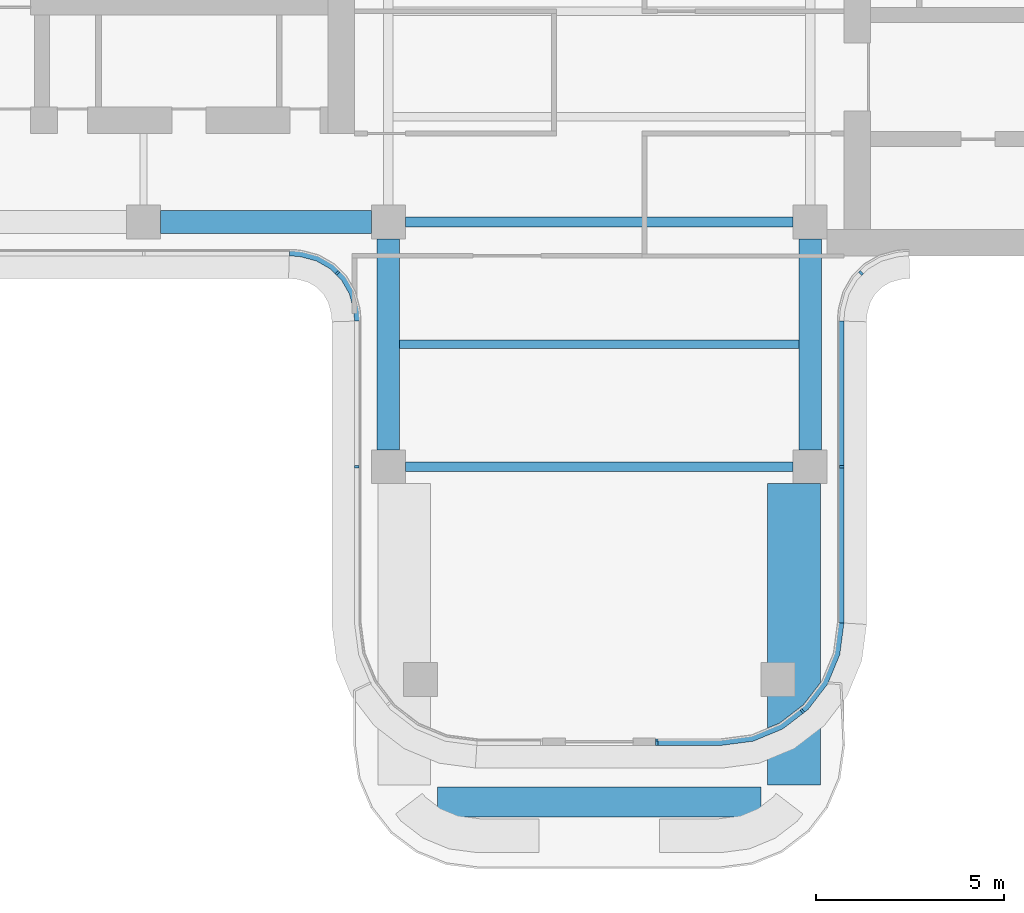
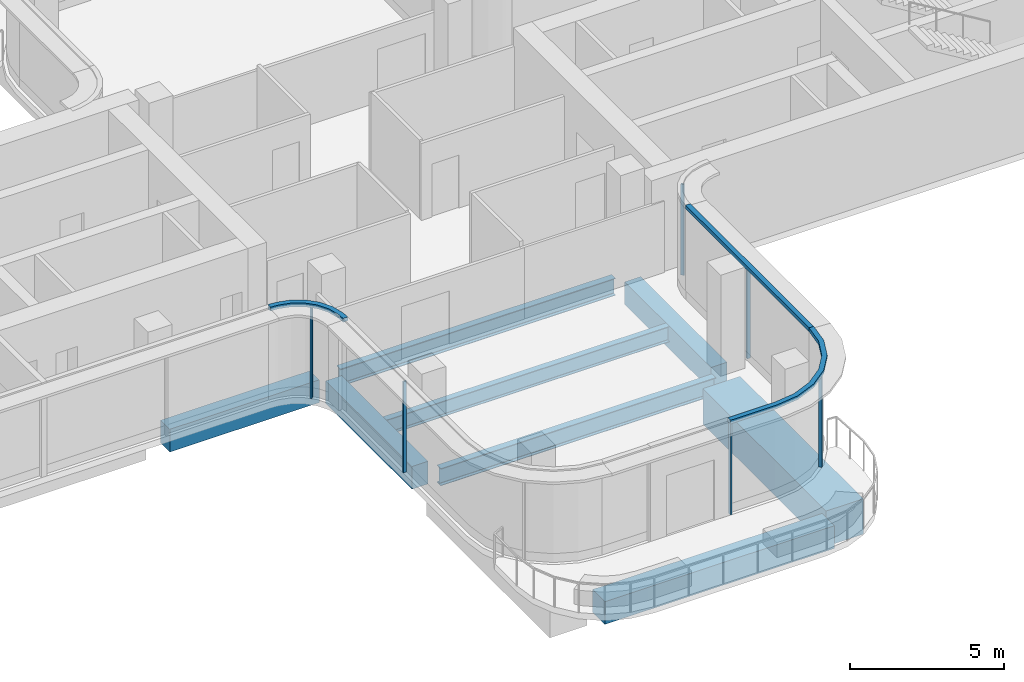
# One storey, part 3 of 18: 9 members, 8 beams, 5 elements without a shape of their own.
"""IFC4 building model written with IfcOpenShell, lengths in metres."""

from ifc_helpers import new_model, si_unit, direction, frame, origin, origin_2d, place, context, subcontext, project, spatial, polyline, rectangle, i_section, outline, extrude, source, transform, mapped, material, layer, layer_set, material_profile, profile_set, type_object, element, aggregate, save


model = new_model("IFC4")

# Units and contexts
model_context = context("Model", 3, precision=1e-05, world=origin(), true_north=direction((0.0, 1.0)))
body_context = subcontext(model_context, "Body", "Model", "MODEL_VIEW")
ifc_project = project(units=[si_unit("LENGTHUNIT", "METRE"), si_unit("AREAUNIT", "SQUARE_METRE"), si_unit("VOLUMEUNIT", "CUBIC_METRE"), si_unit("PLANEANGLEUNIT", "RADIAN"), si_unit("MASSUNIT", "GRAM", prefix="KILO")], contexts=[model_context])

# Site, building, storey
site_placement = place(None, origin())
site = spatial("IfcSite", under=ifc_project, at=site_placement, CompositionType="ELEMENT")
building_placement = place(site_placement, origin())
building = spatial("IfcBuilding", under=site, at=building_placement, Name="Trellis Farm Tower", CompositionType="ELEMENT")
storey_placement = place(building_placement, frame((0.0, 0.0, 338.10009765625)))
storey = spatial("IfcBuildingStorey", under=building, at=storey_placement, Name="L76", CompositionType="ELEMENT", Elevation=338.10009765625)

# Curtain wall, member
ifc_material_1 = material(Name="Aluminium and glass curtain wall", Category="aluminium")
ifc_layer_1 = layer(ifc_material_1, 0.176025390625)
ifc_layer_set_1 = layer_set([ifc_layer_1], Name="CROWN LANTERN CURTAIN WALL CW5")
curtain_wall_type = type_object("IfcCurtainWallType", Name="CROWN LANTERN CURTAIN WALL CW5", PredefinedType="NOTDEFINED", material=ifc_layer_set_1)
placement_1 = place(storey_placement, origin())
curtain_wall_1 = element("IfcCurtainWall", 1, at=placement_1, inside=storey, type_object=curtain_wall_type, Name="CW5 003", PredefinedType="NOTDEFINED")
ifc_material_2 = material(Name="Aluminium extrusion 6063-T6", Category="aluminium")
ifc_layer_2 = layer(ifc_material_2, 0.176025390625)
ifc_layer_set_2 = layer_set([ifc_layer_2], Name="Aluminium extrusion 6063-T6")
member_type_1 = type_object("IfcMemberType", Name="CW5 TRANSOM 176x150", PredefinedType="USERDEFINED", material=ifc_layer_set_2)
placement_2 = place(storey_placement, frame((0.0, 0.0, 3.599853515625)))
member_1 = element("IfcMember", 2, at=placement_2, type_object=member_type_1, Name="TR5 003", ObjectType="TRANSOM", PredefinedType="USERDEFINED", context=body_context, shape_type="SweptSolid", body=[
    extrude(outline(polyline([(1.5, -19.5), (3.25, -19.5), (4.091064453125, -19.38916015625), (4.875, -19.064697265625), (5.548095703125, -18.548095703125), (6.064697265625, -17.875), (6.38916015625, -17.091064453125), (6.5, -16.25), (6.323974609375, -16.238525390625), (6.2177734375, -17.045166015625), (5.910888671875, -17.7861328125), (5.422607421875, -18.422607421875), (4.7861328125, -18.910888671875), (4.045166015625, -19.2177734375), (3.238525390625, -19.323974609375), (1.5, -19.323974609375), (1.5, -19.5)])), origin(), (0.0, 0.0, 1.0), 0.150146484375),
])

# Beams
ifc_material_3 = material(Name="Steel S355", Category="steel")
ifc_material_profile_1 = material_profile(ifc_material_3, i_section(OverallWidth=0.22900390625, OverallDepth=0.6123046875, WebThickness=0.011962890625, FlangeThickness=0.01953125, FilletRadius=0.0126953125, at=origin_2d()), Name="UB 610x229x125")
ifc_profile_set_1 = profile_set([ifc_material_profile_1], Name="Steel S355")
beam_type_1 = type_object("IfcBeamType", Name="UB 610x229x125 joist", PredefinedType="JOIST", material=ifc_profile_set_1)
shared_shape_1 = source(origin(), body_context, "Body", "SweptSolid", [
    extrude(i_section(OverallWidth=0.22900390625, OverallDepth=0.6123046875, WebThickness=0.011962890625, FlangeThickness=0.01953125, FilletRadius=0.0126953125, at=origin_2d()), origin(), (0.0, 0.0, 1.0), 10.60009765625),
])
beam_1_placement = place(storey_placement, frame((-5.300048828125, -8.85009765625, -0.55615234375), z_axis=(1.0, 0.0, 0.0), x_axis=(0.0, 1.0, 0.0)))
element("IfcBeam", 3, at=beam_1_placement, inside=storey, type_object=beam_type_1, Name="Floor beam", PredefinedType="JOIST", context=body_context, shape_type="MappedRepresentation", body=[
    mapped(shared_shape_1, transform((0.0, 0.0, 0.0))),
])
ifc_material_4 = material(Name="Concrete C60/75", Category="concrete")
ifc_material_profile_2 = material_profile(ifc_material_4, rectangle(XDim=0.60009765625, YDim=0.89990234375, at=origin_2d()), Name="RC spandrel beam 600x900 C60/75")
ifc_profile_set_2 = profile_set([ifc_material_profile_2], Name="Concrete C60/75")
beam_type_2 = type_object("IfcBeamType", Name="RC spandrel beam 600x900 C60/75", PredefinedType="SPANDREL", material=ifc_profile_set_2)
shared_shape_2 = source(origin(), body_context, "Body", "SweptSolid", [
    extrude(rectangle(XDim=0.60009765625, YDim=0.89990234375, at=origin_2d()), origin(), (0.0, 0.0, 1.0), 5.599853515625),
])
for number, where, z_axis, x_axis, name in (
    (4, (-11.64990234375, -5.60009765625, -0.7001953125), (1.0, 0.0, 0.0), (0.0, 1.0, 0.0), "Girder"),
    (5, (-5.60009765625, -11.64990234375, -0.7001953125), (0.0, 1.0, 0.0), (-1.0, 0.0, 0.0), "Girder"),
    (6, (5.60009765625, -11.64990234375, -0.7001953125), (0.0, 1.0, 0.0), (-1.0, 0.0, 0.0), "Girder"),
):
    element("IfcBeam", number, at=place(storey_placement, frame(where, z_axis=z_axis, x_axis=x_axis)), inside=storey, type_object=beam_type_2, Name=name, PredefinedType="SPANDREL", context=body_context, shape_type="MappedRepresentation", body=[
        mapped(shared_shape_2, transform((0.0, 0.0, 0.0))),
    ])
ifc_material_profile_3 = material_profile(ifc_material_3, i_section(OverallWidth=0.253662109375, OverallDepth=0.68359375, WebThickness=0.012451171875, FlangeThickness=0.021728515625, FilletRadius=0.01513671875, at=origin_2d()), Name="UB 686x254x140")
ifc_profile_set_3 = profile_set([ifc_material_profile_3], Name="Steel S355")
beam_type_3 = type_object("IfcBeamType", Name="UB 686x254x140", PredefinedType="BEAM", material=ifc_profile_set_3)
shared_shape_3 = source(origin(), body_context, "Body", "SweptSolid", [
    extrude(i_section(OverallWidth=0.253662109375, OverallDepth=0.68359375, WebThickness=0.012451171875, FlangeThickness=0.021728515625, FilletRadius=0.01513671875, at=origin_2d()), origin(), (0.0, 0.0, 1.0), 10.2998046875),
])
for number, where, z_axis, x_axis, name in (
    (7, (-5.14990234375, -12.10009765625, -0.591796875), (1.0, 0.0, 0.0), (0.0, 1.0, 0.0), "Girder"),
    (8, (-5.14990234375, -5.60009765625, -0.591796875), (1.0, 0.0, 0.0), (0.0, 1.0, 0.0), "Girder"),
):
    element("IfcBeam", number, at=place(storey_placement, frame(where, z_axis=z_axis, x_axis=x_axis)), inside=storey, type_object=beam_type_3, Name=name, PredefinedType="BEAM", context=body_context, shape_type="MappedRepresentation", body=[
        mapped(shared_shape_3, transform((0.0, 0.0, 0.0))),
    ])
ifc_material_profile_4 = material_profile(ifc_material_4, rectangle(XDim=0.800048828125, YDim=0.89990234375, at=origin_2d()), Name="RC spandrel beam 800x900 C60/75")
ifc_profile_set_4 = profile_set([ifc_material_profile_4], Name="Concrete C60/75")
beam_type_4 = type_object("IfcBeamType", Name="RC spandrel beam 800x900 C60/75", PredefinedType="SPANDREL", material=ifc_profile_set_4)
shared_shape_4 = source(origin(), body_context, "Body", "SweptSolid", [
    extrude(rectangle(XDim=0.800048828125, YDim=0.89990234375, at=origin_2d()), origin(), (0.0, 0.0, 1.0), 8.60009765625),
])
beam_2_placement = place(storey_placement, frame((-4.300048828125, -21.0, -0.7001953125), z_axis=(1.0, 0.0, 0.0), x_axis=(0.0, 1.0, 0.0)))
element("IfcBeam", 9, at=beam_2_placement, inside=storey, type_object=beam_type_4, Name="Girder", PredefinedType="SPANDREL", context=body_context, shape_type="MappedRepresentation", body=[
    mapped(shared_shape_4, transform((0.0, 0.0, 0.0))),
])
ifc_material_5 = material(Name="Concrete C80/95", Category="concrete")
ifc_material_profile_5 = material_profile(ifc_material_5, rectangle(XDim=1.39990234375, YDim=1.39990234375, at=origin_2d()), Name="RC transfer beam 1400x1400 C80/95")
ifc_profile_set_5 = profile_set([ifc_material_profile_5], Name="Concrete C80/95")
beam_type_5 = type_object("IfcBeamType", Name="RC transfer beam 1400x1400 C80/95", PredefinedType="BEAM", material=ifc_profile_set_5)
shared_shape_5 = source(origin(), body_context, "Body", "SweptSolid", [
    extrude(rectangle(XDim=1.39990234375, YDim=1.39990234375, at=origin_2d()), origin(), (0.0, 0.0, 1.0), 8.0),
])
beam_3_placement = place(storey_placement, frame((5.175048828125, -20.550048828125, -0.9501953125), z_axis=(0.0, 1.0, 0.0), x_axis=(-1.0, 0.0, 0.0)))
element("IfcBeam", 10, at=beam_3_placement, inside=storey, type_object=beam_type_5, Name="Transfer girder", PredefinedType="BEAM", context=body_context, shape_type="MappedRepresentation", body=[
    mapped(shared_shape_5, transform((0.0, 0.0, 0.0))),
])

# Curtain wall, member
curtain_wall_2 = element("IfcCurtainWall", 11, at=placement_1, inside=storey, type_object=curtain_wall_type, Name="CW5 001", PredefinedType="NOTDEFINED")
ifc_material_profile_6 = material_profile(ifc_material_2, rectangle(XDim=0.06005859375, YDim=0.1201171875, at=origin_2d()), Name="MULLION 60x120")
ifc_profile_set_6 = profile_set([ifc_material_profile_6], Name="Aluminium extrusion 6063-T6")
member_type_2 = type_object("IfcMemberType", Name="CW5 MULLION 60x120", PredefinedType="MULLION", material=ifc_profile_set_6)
shared_shape_6 = source(origin(), body_context, "Body", "SweptSolid", [
    extrude(rectangle(XDim=0.06005859375, YDim=0.1201171875, at=origin_2d()), origin(), (0.0, 0.0, 1.0), 3.599853515625),
])
member_2_placement = place(storey_placement, frame((-6.43994140625, -12.10009765625, 0.0), z_axis=(0.0, 0.0, 1.0), x_axis=(0.0, -1.0, 0.0)))
member_2 = element("IfcMember", 12, at=member_2_placement, type_object=member_type_2, Name="MU5 001-01", PredefinedType="MULLION", context=body_context, shape_type="MappedRepresentation", body=[
    mapped(shared_shape_6, transform((0.0, 0.0, 0.0))),
])
aggregate(curtain_wall_2, [member_2])

# Member
member_3_placement = place(storey_placement, frame((1.530029296875, -19.43994140625, 0.0), z_axis=(0.0, 0.0, 1.0), x_axis=(1.0, 0.0, 0.0)))
member_3 = element("IfcMember", 13, at=member_3_placement, type_object=member_type_2, Name="MU5 003-01", PredefinedType="MULLION", context=body_context, shape_type="MappedRepresentation", body=[
    mapped(shared_shape_6, transform((0.0, 0.0, 0.0))),
])

member_4_placement = place(storey_placement, frame((5.394775390625, -18.590087890625, 0.0), z_axis=(0.0, 0.0, 1.0), x_axis=(0.793353340291, 0.608761429009, 0.0)))
member_4 = element("IfcMember", 14, at=member_4_placement, type_object=member_type_2, Name="MU5 003-02", PredefinedType="MULLION", context=body_context, shape_type="MappedRepresentation", body=[
    mapped(shared_shape_6, transform((0.0, 0.0, 0.0))),
])

aggregate(curtain_wall_1, [member_3, member_4, member_1])

# Curtain wall, member
curtain_wall_3 = element("IfcCurtainWall", 15, at=placement_1, inside=storey, type_object=curtain_wall_type, Name="CW5 004", PredefinedType="NOTDEFINED")
member_5_placement = place(storey_placement, frame((6.43994140625, -12.10009765625, 0.0), z_axis=(0.0, 0.0, 1.0), x_axis=(0.0, 1.0, 0.0)))
member_5 = element("IfcMember", 16, at=member_5_placement, type_object=member_type_2, Name="MU5 004-01", PredefinedType="MULLION", context=body_context, shape_type="MappedRepresentation", body=[
    mapped(shared_shape_6, transform((0.0, 0.0, 0.0))),
])

curtain_wall_4 = element("IfcCurtainWall", 17, at=placement_1, inside=storey, type_object=curtain_wall_type, Name="CW5 005", PredefinedType="NOTDEFINED")
member_6_placement = place(storey_placement, frame((6.953125, -6.953125, 0.0), z_axis=(0.0, 0.0, 1.0), x_axis=(0.707106781187, 0.707106781187, 0.0)))
member_6 = element("IfcMember", 18, at=member_6_placement, type_object=member_type_2, Name="MU5 005-01", PredefinedType="MULLION", context=body_context, shape_type="MappedRepresentation", body=[
    mapped(shared_shape_6, transform((0.0, 0.0, 0.0))),
])
aggregate(curtain_wall_4, [member_6])

curtain_wall_5 = element("IfcCurtainWall", 19, at=placement_1, inside=storey, type_object=curtain_wall_type, Name="CW5 018", PredefinedType="NOTDEFINED")
member_7_placement = place(storey_placement, frame((-6.953125, -6.953125, 0.0), z_axis=(0.0, 0.0, 1.0), x_axis=(0.707106781187, -0.707106781187, 0.0)))
member_7 = element("IfcMember", 20, at=member_7_placement, type_object=member_type_2, Name="MU5 018-01", PredefinedType="MULLION", context=body_context, shape_type="MappedRepresentation", body=[
    mapped(shared_shape_6, transform((0.0, 0.0, 0.0))),
])

# Member
shared_shape_7 = source(origin(), body_context, "Body", "SweptSolid", [
    extrude(outline(polyline([(6.5, -16.25), (6.5, -8.2314453125), (6.323974609375, -8.2255859375), (6.323974609375, -16.238525390625), (6.5, -16.25)])), origin(), (0.0, 0.0, 1.0), 0.150146484375),
])
member_8 = element("IfcMember", 21, at=placement_2, type_object=member_type_1, Name="TR5 004", ObjectType="TRANSOM", PredefinedType="USERDEFINED", context=body_context, shape_type="MappedRepresentation", body=[
    mapped(shared_shape_7, transform((0.0, 0.0, 0.0))),
])

aggregate(curtain_wall_3, [member_5, member_8])

shared_shape_8 = source(origin(), body_context, "Body", "SweptSolid", [
    extrude(outline(polyline([(-8.2314453125, -6.5), (-8.01953125, -6.513916015625), (-7.91552734375, -6.527587890625), (-7.508544921875, -6.63671875), (-7.144287109375, -6.846923828125), (-6.846923828125, -7.144287109375), (-6.63671875, -7.508544921875), (-6.527587890625, -7.91552734375), (-6.513916015625, -8.01953125), (-6.5, -8.2314453125), (-6.323974609375, -8.2255859375), (-6.338623046875, -8.002197265625), (-6.3544921875, -7.881103515625), (-6.47265625, -7.440673828125), (-6.7060546875, -7.0361328125), (-7.0361328125, -6.7060546875), (-7.440673828125, -6.47265625), (-7.881103515625, -6.3544921875), (-8.002197265625, -6.338623046875), (-8.2255859375, -6.323974609375), (-8.2314453125, -6.5)])), origin(), (0.0, 0.0, 1.0), 0.150146484375),
])
member_9 = element("IfcMember", 22, at=placement_2, type_object=member_type_1, Name="TR5 018", ObjectType="TRANSOM", PredefinedType="USERDEFINED", context=body_context, shape_type="MappedRepresentation", body=[
    mapped(shared_shape_8, transform((0.0, 0.0, 0.0))),
])

aggregate(curtain_wall_5, [member_7, member_9])

save(model, "model.ifc")
